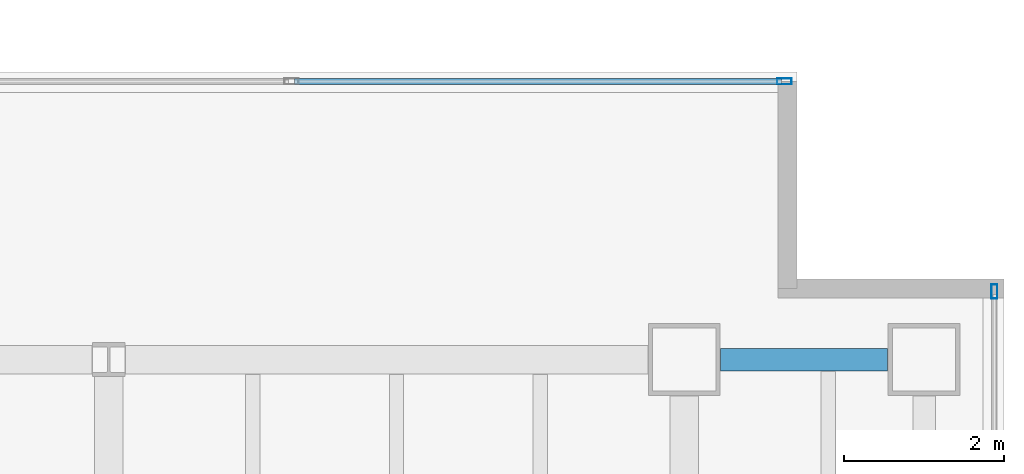
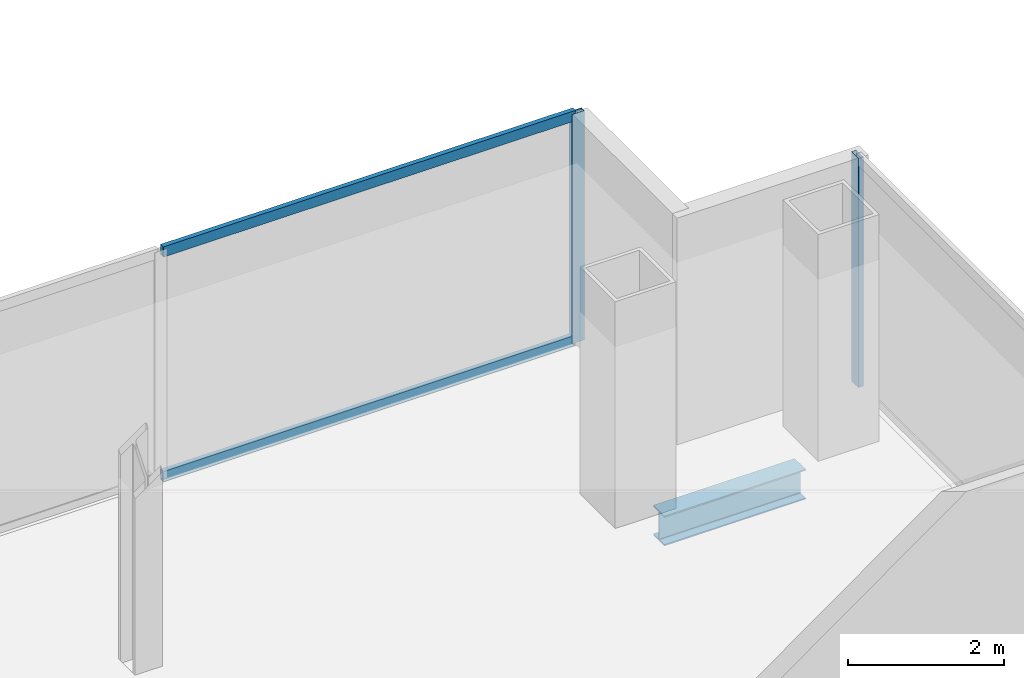
# One storey, part 15 of 23: 4 members, 1 beam, 2 elements without a shape of their own.
"""IFC4 building model written with IfcOpenShell, lengths in metres."""

from ifc_helpers import new_model, si_unit, direction, frame, origin, origin_2d, place, context, subcontext, project, spatial, hollow_rectangle, i_section, extrude, material, material_profile, profile_set, type_object, element, aggregate, save


model = new_model("IFC4")

# Units and contexts
model_context = context("Model", 3, precision=1e-05, world=origin(), true_north=direction((0.0, 1.0)))
body_context = subcontext(model_context, "Body", "Model", "MODEL_VIEW")
ifc_project = project(units=[si_unit("LENGTHUNIT", "METRE"), si_unit("AREAUNIT", "SQUARE_METRE"), si_unit("VOLUMEUNIT", "CUBIC_METRE"), si_unit("PLANEANGLEUNIT", "RADIAN"), si_unit("MASSUNIT", "GRAM", prefix="KILO")], contexts=[model_context])

# Site, building, storey
site_placement = place(None, origin())
site = spatial("IfcSite", under=ifc_project, at=site_placement, CompositionType="ELEMENT")
building_placement = place(site_placement, origin())
building = spatial("IfcBuilding", under=site, at=building_placement, Name="Cobrela Telecom Tower", CompositionType="ELEMENT")
storey_placement = place(building_placement, frame((0.0, 0.0, 140.699951171875)))
storey = spatial("IfcBuildingStorey", under=building, at=storey_placement, Name="L35", CompositionType="ELEMENT", Elevation=140.699951171875)

# Beam
ifc_material_1 = material(Name="Steel ASTM A992 Grade 50", Category="steel")
ifc_material_profile_1 = material_profile(ifc_material_1, i_section(OverallWidth=0.281982421875, OverallDepth=0.467041015625, WebThickness=0.01220703125, FlangeThickness=0.01953125, FilletRadius=0.012939453125, at=origin_2d()), Name="W18X86")
ifc_profile_set_1 = profile_set([ifc_material_profile_1], Name="Steel ASTM A992 Grade 50")
beam_type = type_object("IfcBeamType", Name="BM-SPAND-04", PredefinedType="SPANDREL", material=ifc_profile_set_1)
beam_placement = place(storey_placement, frame((43.655029296875, 21.60009765625, -0.50341796875), z_axis=(1.0, 0.0, 0.0), x_axis=(0.0, 1.0, 0.0)))
element("IfcBeam", 1, at=beam_placement, inside=storey, type_object=beam_type, Name="L35 Perimeter Spandrel X22", PredefinedType="SPANDREL", context=body_context, shape_type="SweptSolid", body=[
    extrude(i_section(OverallWidth=0.281982421875, OverallDepth=0.467041015625, WebThickness=0.01220703125, FlangeThickness=0.01953125, FilletRadius=0.012939453125, at=origin_2d()), origin(), (0.0, 0.0, 1.0), 2.090087890625),
])

# Curtain wall, member
ifc_material_2 = material(Name="Anodized Bronze Aluminium 6063-T6", Category="aluminium")
curtain_wall_type = type_object("IfcCurtainWallType", Name="CW-SYS-TEL", PredefinedType="USERDEFINED", material=ifc_material_2)
curtain_wall_1_placement = place(storey_placement, origin())
curtain_wall_1 = element("IfcCurtainWall", 2, at=curtain_wall_1_placement, inside=storey, type_object=curtain_wall_type, Name="L35 Unitised Bronze Curtain Wall 11", ObjectType="UNITISED CURTAIN WALL", PredefinedType="USERDEFINED")
ifc_material_profile_2 = material_profile(ifc_material_2, hollow_rectangle(XDim=0.074951171875, YDim=0.179931640625, WallThickness=0.00390625, at=origin_2d()), Name="ALU 75x180x4")
ifc_profile_set_2 = profile_set([ifc_material_profile_2], Name="Anodized Bronze Aluminium 6063-T6")
member_type_1 = type_object("IfcMemberType", Name="CW-SYS-TEL-MUL", PredefinedType="MULLION", material=ifc_profile_set_2)
member_1_placement = place(storey_placement, frame((44.452392578125, 25.080078125, 0.0), z_axis=(0.0, 0.0, 1.0), x_axis=(0.0, 1.0, 0.0)))
member_1 = element("IfcMember", 3, at=member_1_placement, type_object=member_type_1, Name="CW-TEL mullion 4", PredefinedType="MULLION", context=body_context, shape_type="SweptSolid", body=[
    extrude(hollow_rectangle(XDim=0.074951171875, YDim=0.179931640625, WallThickness=0.00390625, at=origin_2d()), origin(), (0.0, 0.0, 1.0), 3.580078125),
])

curtain_wall_2_placement = place(storey_placement, origin())
curtain_wall_2 = element("IfcCurtainWall", 4, at=curtain_wall_2_placement, inside=storey, type_object=curtain_wall_type, Name="L35 Unitised Bronze Curtain Wall 14", ObjectType="UNITISED CURTAIN WALL", PredefinedType="USERDEFINED")
member_2_placement = place(storey_placement, frame((47.080078125, 22.452392578125, 0.0), z_axis=(0.0, 0.0, 1.0), x_axis=(1.0, 0.0, 0.0)))
member_2 = element("IfcMember", 5, at=member_2_placement, type_object=member_type_1, Name="CW-TEL mullion 1", PredefinedType="MULLION", context=body_context, shape_type="SweptSolid", body=[
    extrude(hollow_rectangle(XDim=0.074951171875, YDim=0.179931640625, WallThickness=0.00390625, at=origin_2d()), origin(), (0.0, 0.0, 1.0), 3.580078125),
])
aggregate(curtain_wall_2, [member_2])

# Member
ifc_material_profile_3 = material_profile(ifc_material_2, hollow_rectangle(XDim=0.070068359375, YDim=0.159912109375, WallThickness=0.00390625, at=origin_2d()), Name="ALU 70x160x4")
ifc_profile_set_3 = profile_set([ifc_material_profile_3], Name="Anodized Bronze Aluminium 6063-T6")
member_type_2 = type_object("IfcMemberType", Name="CW-SYS-TEL-TRN", PredefinedType="USERDEFINED", material=ifc_profile_set_3)
member_3_placement = place(storey_placement, frame((38.32421875, 25.080078125, 0.03515625), z_axis=(1.0, 0.0, 0.0), x_axis=(0.0, 1.0, 0.0)))
member_3 = element("IfcMember", 6, at=member_3_placement, type_object=member_type_2, Name="CW-TEL transom 3.1", ObjectType="TRANSOM", PredefinedType="USERDEFINED", context=body_context, shape_type="SweptSolid", body=[
    extrude(hollow_rectangle(XDim=0.070068359375, YDim=0.159912109375, WallThickness=0.00390625, at=origin_2d()), origin(), (0.0, 0.0, 1.0), 6.0908203125),
])

member_4_placement = place(storey_placement, frame((38.32421875, 25.080078125, 3.545166015625), z_axis=(1.0, 0.0, 0.0), x_axis=(0.0, 1.0, 0.0)))
member_4 = element("IfcMember", 7, at=member_4_placement, type_object=member_type_2, Name="CW-TEL transom 3.2", ObjectType="TRANSOM", PredefinedType="USERDEFINED", context=body_context, shape_type="SweptSolid", body=[
    extrude(hollow_rectangle(XDim=0.070068359375, YDim=0.159912109375, WallThickness=0.00390625, at=origin_2d()), origin(), (0.0, 0.0, 1.0), 6.0908203125),
])

aggregate(curtain_wall_1, [member_1, member_3, member_4])

save(model, "model.ifc")
